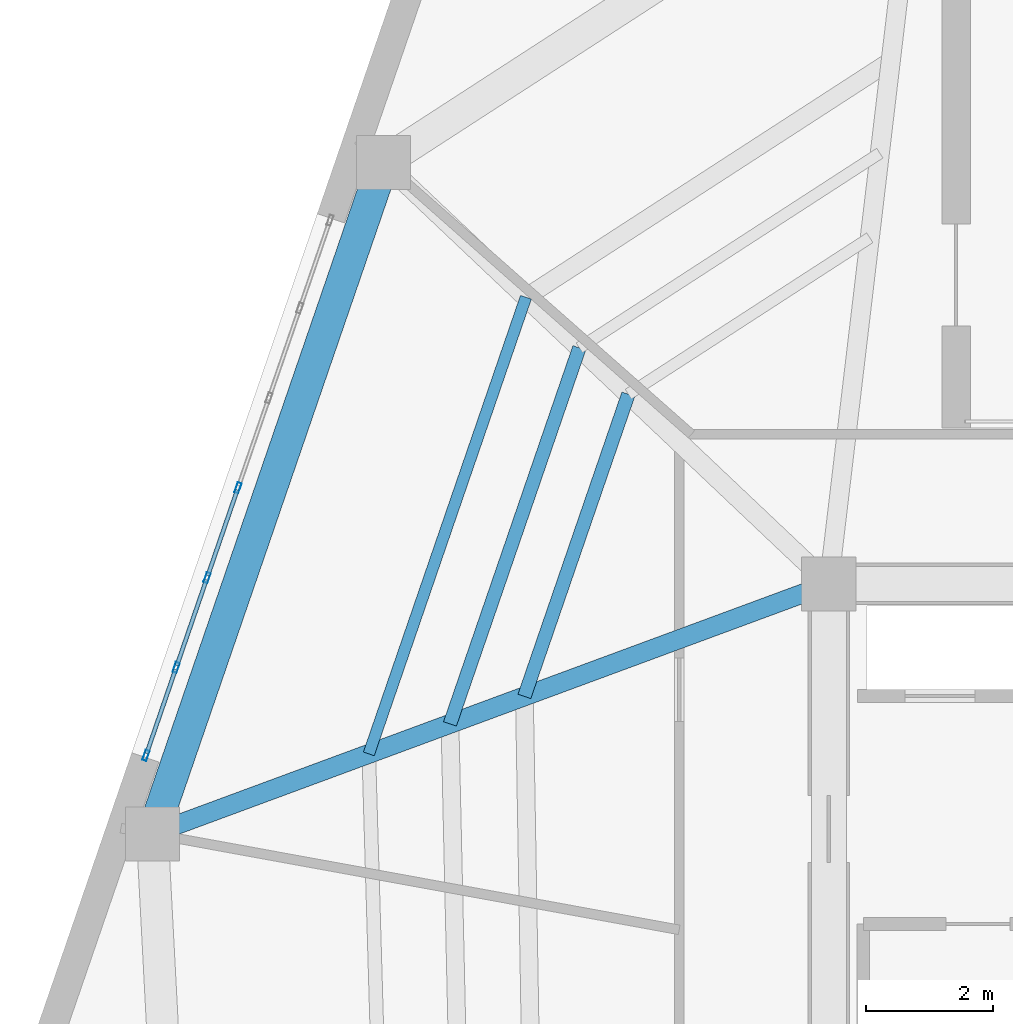
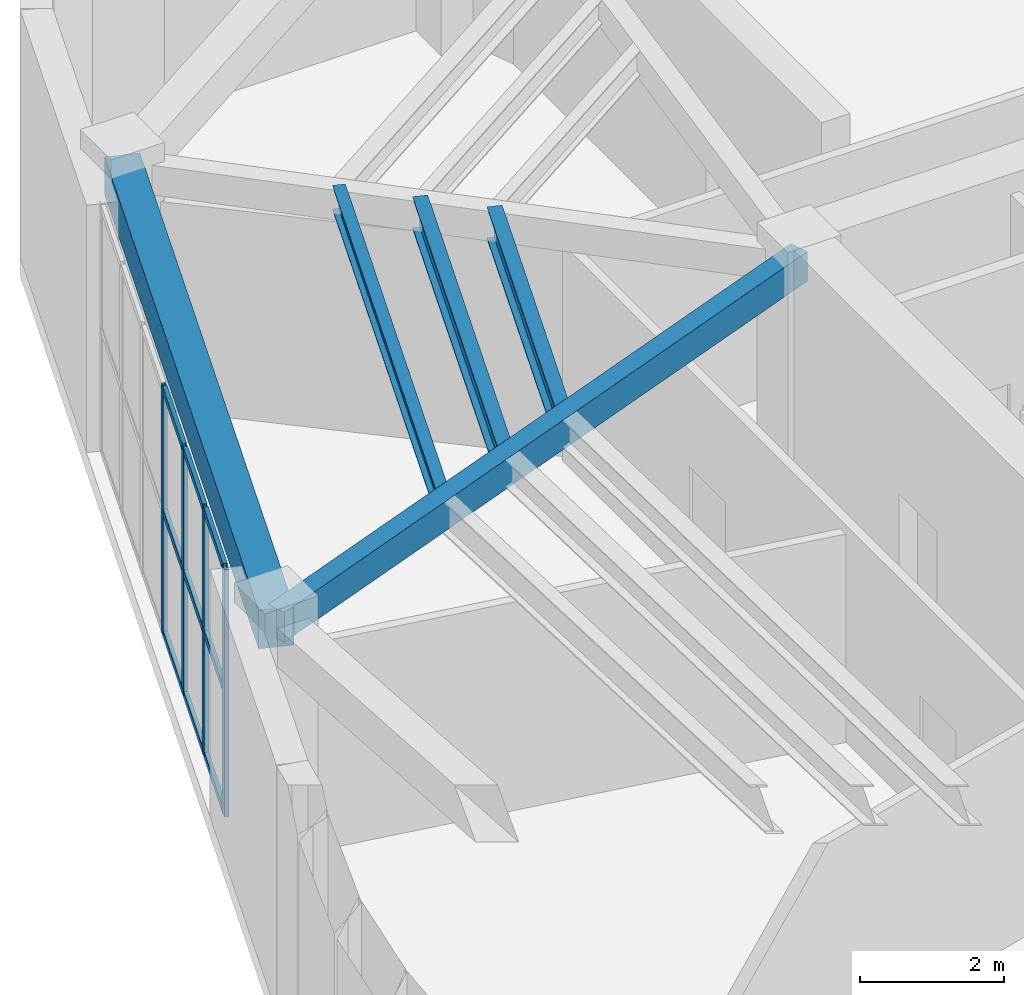
# One storey, part 2 of 15: 13 members, 5 beams, 1 element without a shape of its own.
"""IFC4 building model written with IfcOpenShell, lengths in metres."""

from ifc_helpers import new_model, si_unit, direction, frame, origin, origin_2d, place, context, subcontext, project, spatial, rectangle, hollow_rectangle, i_section, extrude, material, layer, layer_set, material_profile, profile_set, type_object, element, aggregate, save


model = new_model("IFC4")

# Units and contexts
model_context = context("Model", 3, precision=1e-05, world=origin(), true_north=direction((0.0, 1.0)))
body_context = subcontext(model_context, "Body", "Model", "MODEL_VIEW")
ifc_project = project(units=[si_unit("LENGTHUNIT", "METRE"), si_unit("AREAUNIT", "SQUARE_METRE"), si_unit("VOLUMEUNIT", "CUBIC_METRE"), si_unit("PLANEANGLEUNIT", "RADIAN"), si_unit("MASSUNIT", "GRAM", prefix="KILO")], contexts=[model_context])

# Site, building, storey
site_placement = place(None, origin())
site = spatial("IfcSite", under=ifc_project, at=site_placement, CompositionType="ELEMENT")
building_placement = place(site_placement, origin())
building = spatial("IfcBuilding", under=site, at=building_placement, Name="Kilnhurst Terrace Hotel", CompositionType="ELEMENT")
storey_placement = place(building_placement, frame((0.0, 0.0, 288.60009765625)))
storey = spatial("IfcBuildingStorey", under=building, at=storey_placement, Name="L72", CompositionType="ELEMENT", Elevation=288.60009765625)

# Beams
ifc_material_1 = material(Name="Concrete C50/60", Category="concrete")
ifc_material_profile_1 = material_profile(ifc_material_1, rectangle(XDim=0.300048828125, YDim=0.5, at=origin_2d()), Name="RC300X500")
ifc_profile_set_1 = profile_set([ifc_material_profile_1], Name="Concrete C50/60")
beam_type_1 = type_object("IfcBeamType", Name="BM-RAD-300X500", PredefinedType="BEAM", material=ifc_profile_set_1)
beam_1_placement = place(storey_placement, frame((-9.0, 7.5, 3.929931640625), z_axis=(-0.938001507479, -0.3466311757, 0.0), x_axis=(0.3466311757, -0.938001507479, 0.0)))
element("IfcBeam", 1, at=beam_1_placement, inside=storey, type_object=beam_type_1, Name="L72 Radial Floor Beam 10", PredefinedType="BEAM", context=body_context, shape_type="SweptSolid", body=[
    extrude(rectangle(XDim=0.300048828125, YDim=0.5, at=origin_2d()), origin(), (0.0, 0.0, 1.0), 11.326171875),
])
ifc_material_profile_2 = material_profile(ifc_material_1, rectangle(XDim=0.5, YDim=0.64990234375, at=origin_2d()), Name="RC500X650")
ifc_profile_set_2 = profile_set([ifc_material_profile_2], Name="Concrete C50/60")
beam_type_2 = type_object("IfcBeamType", Name="BM-SPN-500X650", PredefinedType="SPANDREL", material=ifc_profile_set_2)
beam_2_placement = place(storey_placement, frame((-15.9951171875, 14.12109375, 3.85498046875), z_axis=(-0.325347079026, -0.945594669068, 0.0), x_axis=(0.945594669068, -0.325347079026, 0.0)))
element("IfcBeam", 2, at=beam_2_placement, inside=storey, type_object=beam_type_2, Name="L72 Perimeter Spandrel Beam 9", PredefinedType="SPANDREL", context=body_context, shape_type="SweptSolid", body=[
    extrude(rectangle(XDim=0.5, YDim=0.64990234375, at=origin_2d()), origin(), (0.0, 0.0, 1.0), 11.154052734375),
])
ifc_material_2 = material(Name="Steel ASTM A992 Grade 50", Category="steel")
ifc_material_profile_3 = material_profile(ifc_material_2, i_section(OverallWidth=0.180908203125, OverallDepth=0.417236328125, WebThickness=0.010986328125, FlangeThickness=0.018310546875, at=origin_2d()), Name="W16X57")
ifc_profile_set_3 = profile_set([ifc_material_profile_3], Name="Steel ASTM A992 Grade 50")
beam_type_3 = type_object("IfcBeamType", Name="JST-STL-W16X57", PredefinedType="JOIST", material=ifc_profile_set_3)
beam_3_placement = place(storey_placement, frame((-13.756591796875, 12.002197265625, 3.970947265625), z_axis=(-0.325367628202, -0.945587598543, 0.0), x_axis=(0.945587598543, -0.325367628202, 0.0)))
element("IfcBeam", 3, at=beam_3_placement, inside=storey, type_object=beam_type_3, Name="L72 Secondary Floor Steel Joist OUT.9", PredefinedType="JOIST", context=body_context, shape_type="SweptSolid", body=[
    extrude(i_section(OverallWidth=0.180908203125, OverallDepth=0.417236328125, WebThickness=0.010986328125, FlangeThickness=0.018310546875, at=origin_2d()), origin(), (0.0, 0.0, 1.0), 7.58447265625),
])
ifc_material_profile_4 = material_profile(ifc_material_2, i_section(OverallWidth=0.2138671875, OverallDepth=0.549072265625, WebThickness=0.0146484375, FlangeThickness=0.023681640625, at=origin_2d()), Name="W21X93")
ifc_profile_set_4 = profile_set([ifc_material_profile_4], Name="Steel ASTM A992 Grade 50")
beam_type_4 = type_object("IfcBeamType", Name="JST-STL-W21X93", PredefinedType="JOIST", material=ifc_profile_set_4)
beam_4_placement = place(storey_placement, frame((-12.147705078125, 10.4794921875, 3.90478515625), z_axis=(-0.325362511486, -0.94558935914, 0.0), x_axis=(0.94558935914, -0.325362511486, 0.0)))
element("IfcBeam", 4, at=beam_4_placement, inside=storey, type_object=beam_type_4, Name="L72 Secondary Floor Steel Joist IN.9", PredefinedType="JOIST", context=body_context, shape_type="SweptSolid", body=[
    extrude(i_section(OverallWidth=0.2138671875, OverallDepth=0.549072265625, WebThickness=0.0146484375, FlangeThickness=0.023681640625, at=origin_2d()), origin(), (0.0, 0.0, 1.0), 5.019287109375),
])
beam_5_placement = place(storey_placement, frame((-12.917236328125, 11.207763671875, 3.90478515625), z_axis=(-0.325359404894, -0.945590428064, 0.0), x_axis=(0.945590428064, -0.325359404894, 0.0)))
element("IfcBeam", 5, at=beam_5_placement, inside=storey, type_object=beam_type_4, Name="L72 Secondary Floor Steel Joist MID.9", PredefinedType="JOIST", context=body_context, shape_type="SweptSolid", body=[
    extrude(i_section(OverallWidth=0.2138671875, OverallDepth=0.549072265625, WebThickness=0.0146484375, FlangeThickness=0.023681640625, at=origin_2d()), origin(), (0.0, 0.0, 1.0), 6.24609375),
])

# Curtain wall, members
ifc_material_3 = material(Name="Anodized Aluminium Alloy 6063-T6 and Low-E Glass", Category="aluminium")
ifc_layer = layer(ifc_material_3, 0.219970703125, Name="Anodized Aluminium Alloy 6063-T6 and Low-E Glass")
ifc_layer_set = layer_set([ifc_layer], Name="Anodized Aluminium Alloy 6063-T6 and Low-E Glass")
curtain_wall_type = type_object("IfcCurtainWallType", Name="CW-PORTAL-L72", PredefinedType="NOTDEFINED", material=ifc_layer_set)
curtain_wall_placement = place(storey_placement, origin())
curtain_wall = element("IfcCurtainWall", 6, at=curtain_wall_placement, inside=storey, type_object=curtain_wall_type, Name="L72 Curtain Wall CW-L72-F5-1", PredefinedType="NOTDEFINED")
ifc_material_4 = material(Name="Extruded Aluminium Alloy 6063-T6", Category="aluminium")
ifc_material_profile_5 = material_profile(ifc_material_4, hollow_rectangle(XDim=0.06494140625, YDim=0.1650390625, WallThickness=0.00341796875, at=origin_2d()), Name="CWM65X165")
ifc_profile_set_5 = profile_set([ifc_material_profile_5], Name="Extruded Aluminium Alloy 6063-T6")
member_type_1 = type_object("IfcMemberType", Name="MEM-CWM65X165", PredefinedType="MULLION", material=ifc_profile_set_5)
member_1_placement = place(storey_placement, frame((-18.277587890625, 9.0087890625, 0.0), z_axis=(0.0, 0.0, 1.0), x_axis=(0.945577644137, -0.325396556387, 0.0)))
member_1 = element("IfcMember", 7, at=member_1_placement, type_object=member_type_1, Name="CWP-5 mullion 4", PredefinedType="MULLION", context=body_context, shape_type="SweptSolid", body=[
    extrude(hollow_rectangle(XDim=0.06494140625, YDim=0.1650390625, WallThickness=0.00341796875, at=origin_2d()), origin(), (0.0, 0.0, 1.0), 4.179931640625),
])
member_2_placement = place(storey_placement, frame((-18.76318359375, 7.59765625, 0.0), z_axis=(0.0, 0.0, 1.0), x_axis=(0.945577644137, -0.325396556387, 0.0)))
member_2 = element("IfcMember", 8, at=member_2_placement, type_object=member_type_1, Name="CWP-5 mullion 5", PredefinedType="MULLION", context=body_context, shape_type="SweptSolid", body=[
    extrude(hollow_rectangle(XDim=0.06494140625, YDim=0.1650390625, WallThickness=0.00341796875, at=origin_2d()), origin(), (0.0, 0.0, 1.0), 4.179931640625),
])
member_3_placement = place(storey_placement, frame((-19.248779296875, 6.1865234375, 0.0), z_axis=(0.0, 0.0, 1.0), x_axis=(0.945577644137, -0.325396556387, 0.0)))
member_3 = element("IfcMember", 9, at=member_3_placement, type_object=member_type_1, Name="CWP-5 mullion 6", PredefinedType="MULLION", context=body_context, shape_type="SweptSolid", body=[
    extrude(hollow_rectangle(XDim=0.06494140625, YDim=0.1650390625, WallThickness=0.00341796875, at=origin_2d()), origin(), (0.0, 0.0, 1.0), 4.179931640625),
])
member_4_placement = place(storey_placement, frame((-19.723876953125, 4.80615234375, 0.0), z_axis=(0.0, 0.0, 1.0), x_axis=(0.945577644137, -0.325396556387, 0.0)))
member_4 = element("IfcMember", 10, at=member_4_placement, type_object=member_type_1, Name="CWP-5 mullion 7", PredefinedType="MULLION", context=body_context, shape_type="SweptSolid", body=[
    extrude(hollow_rectangle(XDim=0.06494140625, YDim=0.1650390625, WallThickness=0.00341796875, at=origin_2d()), origin(), (0.0, 0.0, 1.0), 4.179931640625),
])
ifc_material_profile_6 = material_profile(ifc_material_4, hollow_rectangle(XDim=0.06494140625, YDim=0.1201171875, WallThickness=0.00341796875, at=origin_2d()), Name="CWT65X120")
ifc_profile_set_6 = profile_set([ifc_material_profile_6], Name="Extruded Aluminium Alloy 6063-T6")
member_type_2 = type_object("IfcMemberType", Name="MEM-CWT65X120", PredefinedType="USERDEFINED", material=ifc_profile_set_6)
member_5_placement = place(storey_placement, frame((-18.2880859375, 8.97802734375, 0.032470703125), z_axis=(-0.325500404767, -0.945541900973, 0.0), x_axis=(0.945541900973, -0.325500404767, 0.0)))
member_5 = element("IfcMember", 11, at=member_5_placement, type_object=member_type_2, Name="CWP-5 transom 4.1", ObjectType="TRANSOM", PredefinedType="USERDEFINED", context=body_context, shape_type="SweptSolid", body=[
    extrude(hollow_rectangle(XDim=0.06494140625, YDim=0.1201171875, WallThickness=0.00341796875, at=origin_2d()), origin(), (0.0, 0.0, 1.0), 1.42724609375),
])
member_6_placement = place(storey_placement, frame((-18.2880859375, 8.97802734375, 2.08984375), z_axis=(-0.325500404767, -0.945541900973, 0.0), x_axis=(0.945541900973, -0.325500404767, 0.0)))
member_6 = element("IfcMember", 12, at=member_6_placement, type_object=member_type_2, Name="CWP-5 transom 4.2", ObjectType="TRANSOM", PredefinedType="USERDEFINED", context=body_context, shape_type="SweptSolid", body=[
    extrude(hollow_rectangle(XDim=0.06494140625, YDim=0.1201171875, WallThickness=0.00341796875, at=origin_2d()), origin(), (0.0, 0.0, 1.0), 1.42724609375),
])
member_7_placement = place(storey_placement, frame((-18.2880859375, 8.97802734375, 4.1474609375), z_axis=(-0.325500404767, -0.945541900973, 0.0), x_axis=(0.945541900973, -0.325500404767, 0.0)))
member_7 = element("IfcMember", 13, at=member_7_placement, type_object=member_type_2, Name="CWP-5 transom 4.3", ObjectType="TRANSOM", PredefinedType="USERDEFINED", context=body_context, shape_type="SweptSolid", body=[
    extrude(hollow_rectangle(XDim=0.06494140625, YDim=0.1201171875, WallThickness=0.00341796875, at=origin_2d()), origin(), (0.0, 0.0, 1.0), 1.42724609375),
])
member_8_placement = place(storey_placement, frame((-18.773681640625, 7.56689453125, 0.032470703125), z_axis=(-0.325500404767, -0.945541900973, 0.0), x_axis=(0.945541900973, -0.325500404767, 0.0)))
member_8 = element("IfcMember", 14, at=member_8_placement, type_object=member_type_2, Name="CWP-5 transom 5.1", ObjectType="TRANSOM", PredefinedType="USERDEFINED", context=body_context, shape_type="SweptSolid", body=[
    extrude(hollow_rectangle(XDim=0.06494140625, YDim=0.1201171875, WallThickness=0.00341796875, at=origin_2d()), origin(), (0.0, 0.0, 1.0), 1.42724609375),
])
member_9_placement = place(storey_placement, frame((-18.773681640625, 7.56689453125, 2.08984375), z_axis=(-0.325500404767, -0.945541900973, 0.0), x_axis=(0.945541900973, -0.325500404767, 0.0)))
member_9 = element("IfcMember", 15, at=member_9_placement, type_object=member_type_2, Name="CWP-5 transom 5.2", ObjectType="TRANSOM", PredefinedType="USERDEFINED", context=body_context, shape_type="SweptSolid", body=[
    extrude(hollow_rectangle(XDim=0.06494140625, YDim=0.1201171875, WallThickness=0.00341796875, at=origin_2d()), origin(), (0.0, 0.0, 1.0), 1.42724609375),
])
member_10_placement = place(storey_placement, frame((-18.773681640625, 7.56689453125, 4.1474609375), z_axis=(-0.325500404767, -0.945541900973, 0.0), x_axis=(0.945541900973, -0.325500404767, 0.0)))
member_10 = element("IfcMember", 16, at=member_10_placement, type_object=member_type_2, Name="CWP-5 transom 5.3", ObjectType="TRANSOM", PredefinedType="USERDEFINED", context=body_context, shape_type="SweptSolid", body=[
    extrude(hollow_rectangle(XDim=0.06494140625, YDim=0.1201171875, WallThickness=0.00341796875, at=origin_2d()), origin(), (0.0, 0.0, 1.0), 1.42724609375),
])
member_11_placement = place(storey_placement, frame((-19.25927734375, 6.15576171875, 0.032470703125), z_axis=(-0.325402621342, -0.945575557015, 0.0), x_axis=(0.945575557015, -0.325402621342, 0.0)))
member_11 = element("IfcMember", 17, at=member_11_placement, type_object=member_type_2, Name="CWP-5 transom 6.1", ObjectType="TRANSOM", PredefinedType="USERDEFINED", context=body_context, shape_type="SweptSolid", body=[
    extrude(hollow_rectangle(XDim=0.06494140625, YDim=0.1201171875, WallThickness=0.00341796875, at=origin_2d()), origin(), (0.0, 0.0, 1.0), 1.394775390625),
])
member_12_placement = place(storey_placement, frame((-19.25927734375, 6.15576171875, 2.08984375), z_axis=(-0.325402621342, -0.945575557015, 0.0), x_axis=(0.945575557015, -0.325402621342, 0.0)))
member_12 = element("IfcMember", 18, at=member_12_placement, type_object=member_type_2, Name="CWP-5 transom 6.2", ObjectType="TRANSOM", PredefinedType="USERDEFINED", context=body_context, shape_type="SweptSolid", body=[
    extrude(hollow_rectangle(XDim=0.06494140625, YDim=0.1201171875, WallThickness=0.00341796875, at=origin_2d()), origin(), (0.0, 0.0, 1.0), 1.394775390625),
])
member_13_placement = place(storey_placement, frame((-19.25927734375, 6.15576171875, 4.1474609375), z_axis=(-0.325402621342, -0.945575557015, 0.0), x_axis=(0.945575557015, -0.325402621342, 0.0)))
member_13 = element("IfcMember", 19, at=member_13_placement, type_object=member_type_2, Name="CWP-5 transom 6.3", ObjectType="TRANSOM", PredefinedType="USERDEFINED", context=body_context, shape_type="SweptSolid", body=[
    extrude(hollow_rectangle(XDim=0.06494140625, YDim=0.1201171875, WallThickness=0.00341796875, at=origin_2d()), origin(), (0.0, 0.0, 1.0), 1.394775390625),
])
aggregate(curtain_wall, [member_1, member_2, member_3, member_4, member_5, member_6, member_7, member_8, member_9, member_10, member_11, member_12, member_13])

save(model, "model.ifc")
